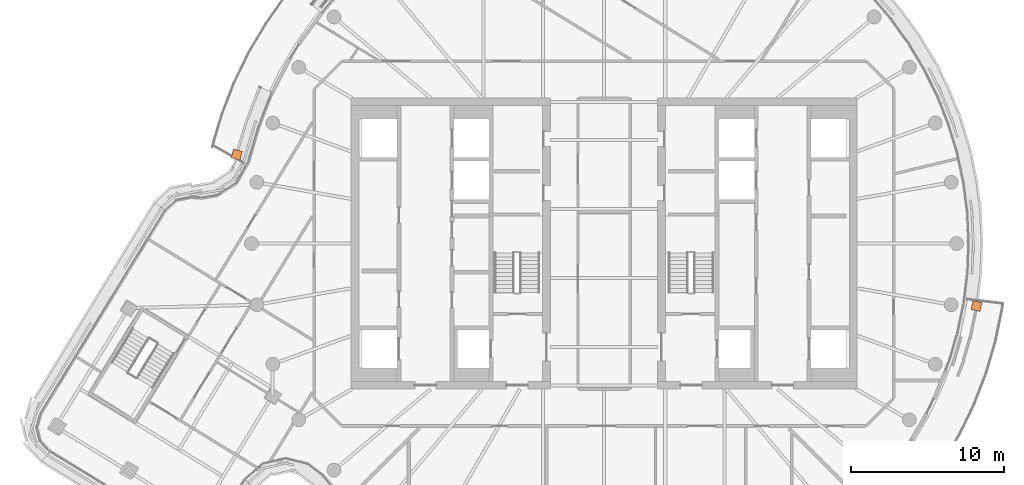
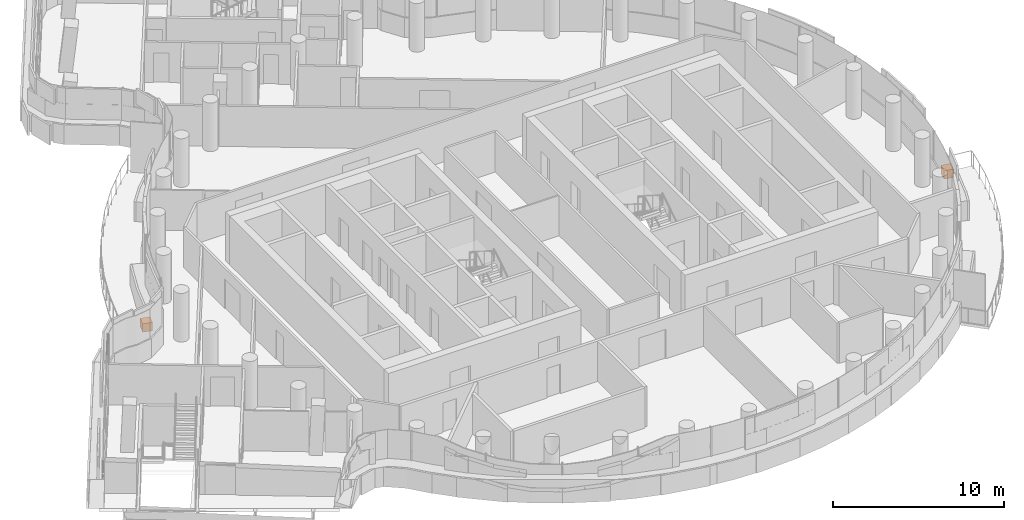
# One storey, part 27 of 27: 2 proxies.
"""IFC4 building model written with IfcOpenShell, lengths in metres."""

from ifc_helpers import new_model, si_unit, direction, frame, origin, origin_2d, place, context, subcontext, project, spatial, rectangle, extrude, material, type_object, element, save


model = new_model("IFC4")

# Units and contexts
model_context = context("Model", 3, precision=1e-05, world=origin(), true_north=direction((0.0, 1.0)))
body_context = subcontext(model_context, "Body", "Model", "MODEL_VIEW")
ifc_project = project(units=[si_unit("LENGTHUNIT", "METRE"), si_unit("AREAUNIT", "SQUARE_METRE"), si_unit("VOLUMEUNIT", "CUBIC_METRE"), si_unit("PLANEANGLEUNIT", "RADIAN"), si_unit("MASSUNIT", "GRAM", prefix="KILO")], contexts=[model_context])

# Site, building, storey
site_placement = place(None, origin())
site = spatial("IfcSite", under=ifc_project, at=site_placement, CompositionType="ELEMENT")
building_placement = place(site_placement, origin())
building = spatial("IfcBuilding", under=site, at=building_placement, Name="Tamarind Cross Interchange Tower", CompositionType="ELEMENT")
storey_placement = place(building_placement, frame((0.0, 0.0, 245.10009765625)))
storey = spatial("IfcBuildingStorey", under=building, at=storey_placement, Name="L62", CompositionType="ELEMENT", Elevation=245.10009765625)

# Proxies
ifc_material = material(Name="Concrete C30", Category="concrete")
building_element_proxy_type = type_object("IfcBuildingElementProxyType", Name="Planter", PredefinedType="USERDEFINED", material=ifc_material)
proxy_1_placement = place(storey_placement, origin())
element("IfcBuildingElementProxy", 1, at=proxy_1_placement, inside=storey, type_object=building_element_proxy_type, Name="PLT-L62-BAL02", ObjectType="Planter", PredefinedType="USERDEFINED", context=body_context, shape_type="SweptSolid", body=[
    extrude(rectangle(XDim=0.60009765625, YDim=0.60009765625, at=origin_2d()), frame((-23.9638671875, 5.800048828125, -0.000244140625), z_axis=(0.0, 0.0, 1.0), x_axis=(-0.265389348296, -0.964141324605, 0.0)), (0.0, 0.0, 1.0), 0.60009765625),
])
proxy_2_placement = place(storey_placement, origin())
element("IfcBuildingElementProxy", 2, at=proxy_2_placement, inside=storey, type_object=building_element_proxy_type, Name="PLT-L62-BAL06", ObjectType="Planter", PredefinedType="USERDEFINED", context=body_context, shape_type="SweptSolid", body=[
    extrude(rectangle(XDim=0.60009765625, YDim=0.60009765625, at=origin_2d()), frame((24.298828125, -4.073486328125, -0.000244140625), z_axis=(0.0, 0.0, 1.0), x_axis=(0.201001463943, 0.9795909409, 0.0)), (0.0, 0.0, 1.0), 0.60009765625),
])

save(model, "model.ifc")
